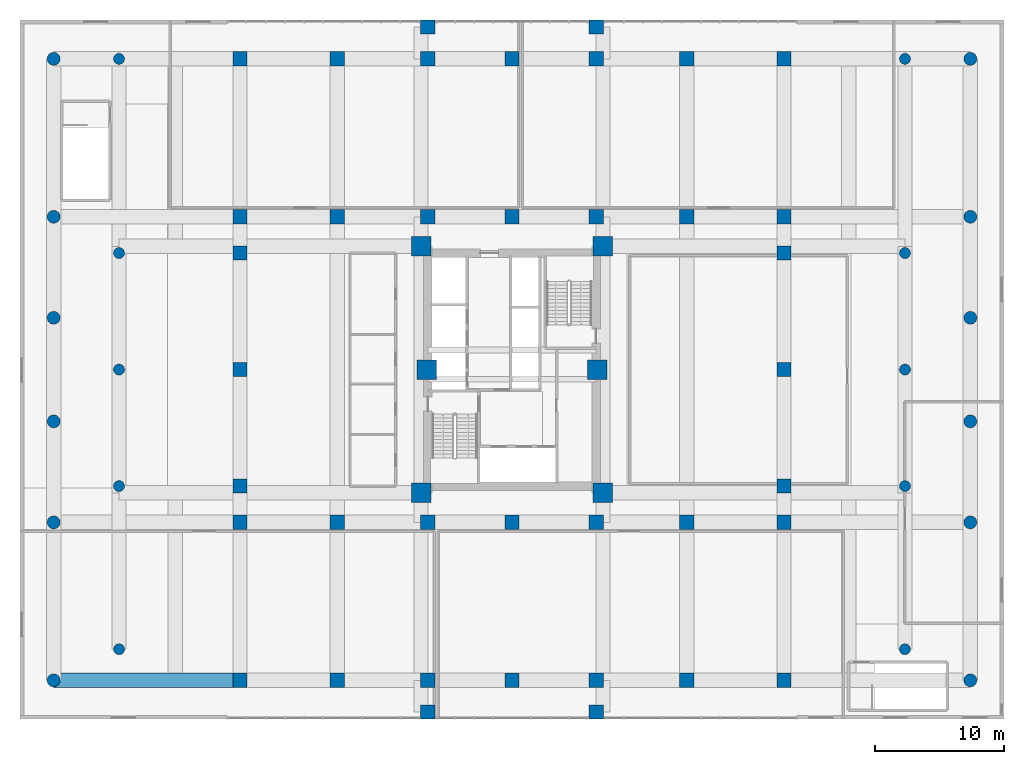
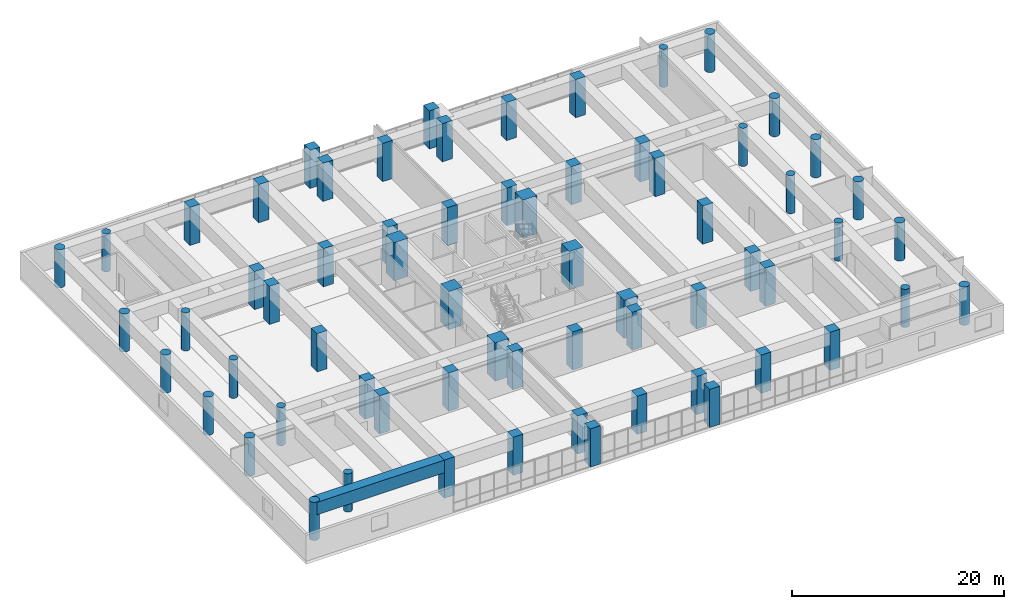
# One storey, part 1 of 28: 66 columns, 1 beam.
"""IFC4 building model written with IfcOpenShell, lengths in metres."""

from ifc_helpers import new_model, si_unit, direction, frame, origin, origin_2d, place, context, subcontext, project, spatial, rectangle, circle, extrude, source, transform, mapped, material, material_profile, profile_set, type_object, element, save


model = new_model("IFC4")

# Units and contexts
model_context = context("Model", 3, precision=1e-05, world=origin(), true_north=direction((0.0, 1.0)))
body_context = subcontext(model_context, "Body", "Model", "MODEL_VIEW")
ifc_project = project(units=[si_unit("LENGTHUNIT", "METRE"), si_unit("AREAUNIT", "SQUARE_METRE"), si_unit("VOLUMEUNIT", "CUBIC_METRE"), si_unit("PLANEANGLEUNIT", "RADIAN"), si_unit("MASSUNIT", "GRAM", prefix="KILO")], contexts=[model_context])

# Site, building, storey
site_placement = place(None, origin())
site = spatial("IfcSite", under=ifc_project, at=site_placement, CompositionType="ELEMENT")
building_placement = place(site_placement, origin())
building = spatial("IfcBuilding", under=site, at=building_placement, Name="Saelheon Loggia Tower", CompositionType="ELEMENT")
storey_placement = place(building_placement, frame((0.0, 0.0, 15.0)))
storey = spatial("IfcBuildingStorey", under=building, at=storey_placement, Name="L04", CompositionType="ELEMENT", Elevation=15.0)

# Columns
ifc_material_1 = material(Name="Concrete C60/75", Category="concrete")
ifc_material_profile_1 = material_profile(ifc_material_1, rectangle(XDim=1.5, YDim=1.5, at=origin_2d()), Name="RC-1500x1500")
ifc_profile_set_1 = profile_set([ifc_material_profile_1], Name="Concrete C60/75")
column_type_1 = type_object("IfcColumnType", Name="Col_Core_RC1500", PredefinedType="COLUMN", material=ifc_profile_set_1)
shared_shape_1 = source(origin(), body_context, "Body", "SweptSolid", [
    extrude(rectangle(XDim=1.5, YDim=1.5, at=origin_2d()), origin(), (0.0, 0.0, 1.0), 4.39990234375),
])
for number, where, z_axis, x_axis, name in (
    (1, (30.97998046875, 17.47998046875, 0.0), (0.0, 0.0, 1.0), (1.0, 0.0, 0.0), "L04 Core Column CR-SW"),
    (2, (45.02001953125, 17.47998046875, 0.0), (0.0, 0.0, 1.0), (1.0, 0.0, 0.0), "L04 Core Column CR-SE"),
    (3, (30.97998046875, 36.52001953125, 0.0), (0.0, 0.0, 1.0), (1.0, 0.0, 0.0), "L04 Core Column CR-NW"),
    (4, (45.02001953125, 36.52001953125, 0.0), (0.0, 0.0, 1.0), (1.0, 0.0, 0.0), "L04 Core Column CR-NE"),
    (5, (31.419921875, 27.0, 0.0), (0.0, 0.0, 1.0), (1.0, 0.0, 0.0), "L04 Core Column CR-MW"),
    (6, (44.580078125, 27.0, 0.0), (0.0, 0.0, 1.0), (1.0, 0.0, 0.0), "L04 Core Column CR-ME"),
):
    element("IfcColumn", number, at=place(storey_placement, frame(where, z_axis=z_axis, x_axis=x_axis)), inside=storey, type_object=column_type_1, Name=name, PredefinedType="COLUMN", context=body_context, shape_type="MappedRepresentation", body=[
        mapped(shared_shape_1, transform((0.0, 0.0, 0.0), scale=1.0)),
    ])
ifc_material_2 = material(Name="Concrete C50/60", Category="concrete")
ifc_material_profile_2 = material_profile(ifc_material_2, circle(Radius=0.5, at=origin_2d()), Name="CIRC-1000")
ifc_profile_set_2 = profile_set([ifc_material_profile_2], Name="Concrete C50/60")
column_type_2 = type_object("IfcColumnType", Name="Col_Podium_CIRC1000", PredefinedType="COLUMN", material=ifc_profile_set_2)
shared_shape_2 = source(origin(), body_context, "Body", "SweptSolid", [
    extrude(circle(Radius=0.5, at=origin_2d()), origin(), (0.0, 0.0, 1.0), 4.39990234375),
])
for number, where, z_axis, x_axis, name in (
    (7, (2.60009765625, 3.0, 0.0), (0.0, 0.0, 1.0), (1.0, 0.0, 0.0), "L04 Podium Column PW1"),
    (8, (73.39990234375, 3.0, 0.0), (0.0, 0.0, 1.0), (1.0, 0.0, 0.0), "L04 Podium Column PE1"),
    (9, (2.60009765625, 15.199951171875, 0.0), (0.0, 0.0, 1.0), (1.0, 0.0, 0.0), "L04 Podium Column PW2"),
    (10, (73.39990234375, 15.199951171875, 0.0), (0.0, 0.0, 1.0), (1.0, 0.0, 0.0), "L04 Podium Column PE2"),
    (11, (2.60009765625, 23.0, 0.0), (0.0, 0.0, 1.0), (1.0, 0.0, 0.0), "L04 Podium Column PW3"),
    (12, (73.39990234375, 23.0, 0.0), (0.0, 0.0, 1.0), (1.0, 0.0, 0.0), "L04 Podium Column PE3"),
    (13, (2.60009765625, 31.0, 0.0), (0.0, 0.0, 1.0), (1.0, 0.0, 0.0), "L04 Podium Column PW4"),
    (14, (73.39990234375, 31.0, 0.0), (0.0, 0.0, 1.0), (1.0, 0.0, 0.0), "L04 Podium Column PE4"),
    (15, (2.60009765625, 38.800048828125, 0.0), (0.0, 0.0, 1.0), (1.0, 0.0, 0.0), "L04 Podium Column PW5"),
    (16, (73.39990234375, 38.800048828125, 0.0), (0.0, 0.0, 1.0), (1.0, 0.0, 0.0), "L04 Podium Column PE5"),
    (17, (2.60009765625, 51.0, 0.0), (0.0, 0.0, 1.0), (1.0, 0.0, 0.0), "L04 Podium Column PW6"),
    (18, (73.39990234375, 51.0, 0.0), (0.0, 0.0, 1.0), (1.0, 0.0, 0.0), "L04 Podium Column PE6"),
):
    element("IfcColumn", number, at=place(storey_placement, frame(where, z_axis=z_axis, x_axis=x_axis)), inside=storey, type_object=column_type_2, Name=name, PredefinedType="COLUMN", context=body_context, shape_type="MappedRepresentation", body=[
        mapped(shared_shape_2, transform((0.0, 0.0, 0.0), scale=1.0)),
    ])
ifc_material_3 = material(Name="Concrete C45/55", Category="concrete")
ifc_material_profile_3 = material_profile(ifc_material_3, circle(Radius=0.425048828125, at=origin_2d()), Name="CIRC-850")
ifc_profile_set_3 = profile_set([ifc_material_profile_3], Name="Concrete C45/55")
column_type_3 = type_object("IfcColumnType", Name="Col_Podium_CIRC850", PredefinedType="COLUMN", material=ifc_profile_set_3)
shared_shape_3 = source(origin(), body_context, "Body", "SweptSolid", [
    extrude(circle(Radius=0.425048828125, at=origin_2d()), origin(), (0.0, 0.0, 1.0), 4.39990234375),
])
for number, where, z_axis, x_axis, name in (
    (19, (7.64990234375, 5.39990234375, 0.0), (0.0, 0.0, 1.0), (1.0, 0.0, 0.0), "L04 Podium Column PMW1"),
    (20, (68.35009765625, 5.39990234375, 0.0), (0.0, 0.0, 1.0), (1.0, 0.0, 0.0), "L04 Podium Column PME1"),
    (21, (7.64990234375, 18.0, 0.0), (0.0, 0.0, 1.0), (1.0, 0.0, 0.0), "L04 Podium Column PMW2"),
    (22, (68.35009765625, 18.0, 0.0), (0.0, 0.0, 1.0), (1.0, 0.0, 0.0), "L04 Podium Column PME2"),
    (23, (7.64990234375, 27.0, 0.0), (0.0, 0.0, 1.0), (1.0, 0.0, 0.0), "L04 Podium Column PMW3"),
    (24, (68.35009765625, 27.0, 0.0), (0.0, 0.0, 1.0), (1.0, 0.0, 0.0), "L04 Podium Column PME3"),
    (25, (7.64990234375, 36.0, 0.0), (0.0, 0.0, 1.0), (1.0, 0.0, 0.0), "L04 Podium Column PMW4"),
    (26, (68.35009765625, 36.0, 0.0), (0.0, 0.0, 1.0), (1.0, 0.0, 0.0), "L04 Podium Column PME4"),
    (27, (7.64990234375, 51.0, 0.0), (0.0, 0.0, 1.0), (1.0, 0.0, 0.0), "L04 Podium Column PMW5"),
    (28, (68.35009765625, 51.0, 0.0), (0.0, 0.0, 1.0), (1.0, 0.0, 0.0), "L04 Podium Column PME5"),
):
    element("IfcColumn", number, at=place(storey_placement, frame(where, z_axis=z_axis, x_axis=x_axis)), inside=storey, type_object=column_type_3, Name=name, PredefinedType="COLUMN", context=body_context, shape_type="MappedRepresentation", body=[
        mapped(shared_shape_3, transform((0.0, 0.0, 0.0), scale=1.0)),
    ])
ifc_material_profile_4 = material_profile(ifc_material_2, rectangle(XDim=1.10009765625, YDim=1.10009765625, at=origin_2d()), Name="RC-1100x1100")
ifc_profile_set_4 = profile_set([ifc_material_profile_4], Name="Concrete C50/60")
column_type_4 = type_object("IfcColumnType", Name="Col_Perim_RC1100", PredefinedType="COLUMN", material=ifc_profile_set_4)
shared_shape_4 = source(origin(), body_context, "Body", "SweptSolid", [
    extrude(rectangle(XDim=1.10009765625, YDim=1.10009765625, at=origin_2d()), origin(), (0.0, 0.0, 1.0), 4.39990234375),
])
for number, where, z_axis, x_axis, name in (
    (29, (17.0, 3.0, 0.0), (0.0, 0.0, 1.0), (1.0, 0.0, 0.0), "L04 Podium Column PIW1"),
    (30, (59.0, 3.0, 0.0), (0.0, 0.0, 1.0), (1.0, 0.0, 0.0), "L04 Podium Column PIE1"),
    (31, (17.0, 15.199951171875, 0.0), (0.0, 0.0, 1.0), (1.0, 0.0, 0.0), "L04 Podium Column PIW2"),
    (32, (59.0, 15.199951171875, 0.0), (0.0, 0.0, 1.0), (1.0, 0.0, 0.0), "L04 Podium Column PIE2"),
    (33, (17.0, 18.0, 0.0), (0.0, 0.0, 1.0), (1.0, 0.0, 0.0), "L04 Podium Column PIW3"),
    (34, (59.0, 18.0, 0.0), (0.0, 0.0, 1.0), (1.0, 0.0, 0.0), "L04 Podium Column PIE3"),
    (35, (17.0, 27.0, 0.0), (0.0, 0.0, 1.0), (1.0, 0.0, 0.0), "L04 Podium Column PIW4"),
    (36, (59.0, 27.0, 0.0), (0.0, 0.0, 1.0), (1.0, 0.0, 0.0), "L04 Podium Column PIE4"),
    (37, (17.0, 36.0, 0.0), (0.0, 0.0, 1.0), (1.0, 0.0, 0.0), "L04 Podium Column PIW5"),
    (38, (59.0, 36.0, 0.0), (0.0, 0.0, 1.0), (1.0, 0.0, 0.0), "L04 Podium Column PIE5"),
    (39, (17.0, 38.800048828125, 0.0), (0.0, 0.0, 1.0), (1.0, 0.0, 0.0), "L04 Podium Column PIW6"),
    (40, (59.0, 38.800048828125, 0.0), (0.0, 0.0, 1.0), (1.0, 0.0, 0.0), "L04 Podium Column PIE6"),
    (41, (17.0, 51.0, 0.0), (0.0, 0.0, 1.0), (1.0, 0.0, 0.0), "L04 Podium Column PIW7"),
    (42, (59.0, 51.0, 0.0), (0.0, 0.0, 1.0), (1.0, 0.0, 0.0), "L04 Podium Column PIE7"),
    (43, (24.5, 3.0, 0.0), (0.0, 0.0, 1.0), (1.0, 0.0, 0.0), "L04 Podium Column C24Y030"),
    (44, (24.5, 15.199951171875, 0.0), (0.0, 0.0, 1.0), (1.0, 0.0, 0.0), "L04 Podium Column C24Y152"),
    (45, (24.5, 38.800048828125, 0.0), (0.0, 0.0, 1.0), (1.0, 0.0, 0.0), "L04 Podium Column C24Y388"),
    (46, (24.5, 51.0, 0.0), (0.0, 0.0, 1.0), (1.0, 0.0, 0.0), "L04 Podium Column C24Y510"),
):
    element("IfcColumn", number, at=place(storey_placement, frame(where, z_axis=z_axis, x_axis=x_axis)), inside=storey, type_object=column_type_4, Name=name, PredefinedType="COLUMN", context=body_context, shape_type="MappedRepresentation", body=[
        mapped(shared_shape_4, transform((0.0, 0.0, 0.0), scale=1.0)),
    ])
ifc_material_profile_5 = material_profile(ifc_material_2, rectangle(XDim=1.10009765625, YDim=1.10009765625, at=origin_2d()), Name="RC-1100x1100")
ifc_profile_set_5 = profile_set([ifc_material_profile_5], Name="Concrete C50/60")
column_type_5 = type_object("IfcColumnType", Name="Col_PerimExt_RC1100", PredefinedType="COLUMN", material=ifc_profile_set_5)
column_1_placement = place(storey_placement, frame((31.5, 0.550048828125, 0.0), z_axis=(0.0, 0.0, 1.0), x_axis=(1.0, 0.0, 0.0)))
element("IfcColumn", 47, at=column_1_placement, inside=storey, type_object=column_type_5, Name="L04 Podium Column C31Y006", PredefinedType="COLUMN", context=body_context, shape_type="MappedRepresentation", body=[
    mapped(shared_shape_4, transform((0.0, 0.0, 0.0), scale=1.0)),
])
for number, where, z_axis, x_axis, name in (
    (48, (31.5, 3.0, 0.0), (0.0, 0.0, 1.0), (1.0, 0.0, 0.0), "L04 Podium Column C31Y030"),
    (49, (31.5, 15.199951171875, 0.0), (0.0, 0.0, 1.0), (1.0, 0.0, 0.0), "L04 Podium Column C31Y152"),
    (50, (31.5, 38.800048828125, 0.0), (0.0, 0.0, 1.0), (1.0, 0.0, 0.0), "L04 Podium Column C31Y388"),
    (51, (31.5, 51.0, 0.0), (0.0, 0.0, 1.0), (1.0, 0.0, 0.0), "L04 Podium Column C31Y510"),
):
    element("IfcColumn", number, at=place(storey_placement, frame(where, z_axis=z_axis, x_axis=x_axis)), inside=storey, type_object=column_type_4, Name=name, PredefinedType="COLUMN", context=body_context, shape_type="MappedRepresentation", body=[
        mapped(shared_shape_4, transform((0.0, 0.0, 0.0), scale=1.0)),
    ])
column_2_placement = place(storey_placement, frame((31.5, 53.449951171875, 0.0), z_axis=(0.0, 0.0, 1.0), x_axis=(1.0, 0.0, 0.0)))
element("IfcColumn", 52, at=column_2_placement, inside=storey, type_object=column_type_5, Name="L04 Podium Column C31Y534", PredefinedType="COLUMN", context=body_context, shape_type="MappedRepresentation", body=[
    mapped(shared_shape_4, transform((0.0, 0.0, 0.0), scale=1.0)),
])
for number, where, z_axis, x_axis, name in (
    (53, (38.0, 3.0, 0.0), (0.0, 0.0, 1.0), (1.0, 0.0, 0.0), "L04 Podium Column C38Y030"),
    (54, (38.0, 15.199951171875, 0.0), (0.0, 0.0, 1.0), (1.0, 0.0, 0.0), "L04 Podium Column C38Y152"),
    (55, (38.0, 38.800048828125, 0.0), (0.0, 0.0, 1.0), (1.0, 0.0, 0.0), "L04 Podium Column C38Y388"),
    (56, (38.0, 51.0, 0.0), (0.0, 0.0, 1.0), (1.0, 0.0, 0.0), "L04 Podium Column C38Y510"),
):
    element("IfcColumn", number, at=place(storey_placement, frame(where, z_axis=z_axis, x_axis=x_axis)), inside=storey, type_object=column_type_4, Name=name, PredefinedType="COLUMN", context=body_context, shape_type="MappedRepresentation", body=[
        mapped(shared_shape_4, transform((0.0, 0.0, 0.0), scale=1.0)),
    ])
column_3_placement = place(storey_placement, frame((44.5, 0.550048828125, 0.0), z_axis=(0.0, 0.0, 1.0), x_axis=(1.0, 0.0, 0.0)))
element("IfcColumn", 57, at=column_3_placement, inside=storey, type_object=column_type_5, Name="L04 Podium Column C44Y006", PredefinedType="COLUMN", context=body_context, shape_type="MappedRepresentation", body=[
    mapped(shared_shape_4, transform((0.0, 0.0, 0.0), scale=1.0)),
])
for number, where, z_axis, x_axis, name in (
    (58, (44.5, 3.0, 0.0), (0.0, 0.0, 1.0), (1.0, 0.0, 0.0), "L04 Podium Column C44Y030"),
    (59, (44.5, 15.199951171875, 0.0), (0.0, 0.0, 1.0), (1.0, 0.0, 0.0), "L04 Podium Column C44Y152"),
    (60, (44.5, 38.800048828125, 0.0), (0.0, 0.0, 1.0), (1.0, 0.0, 0.0), "L04 Podium Column C44Y388"),
    (61, (44.5, 51.0, 0.0), (0.0, 0.0, 1.0), (1.0, 0.0, 0.0), "L04 Podium Column C44Y510"),
):
    element("IfcColumn", number, at=place(storey_placement, frame(where, z_axis=z_axis, x_axis=x_axis)), inside=storey, type_object=column_type_4, Name=name, PredefinedType="COLUMN", context=body_context, shape_type="MappedRepresentation", body=[
        mapped(shared_shape_4, transform((0.0, 0.0, 0.0), scale=1.0)),
    ])
column_4_placement = place(storey_placement, frame((44.5, 53.449951171875, 0.0), z_axis=(0.0, 0.0, 1.0), x_axis=(1.0, 0.0, 0.0)))
element("IfcColumn", 62, at=column_4_placement, inside=storey, type_object=column_type_5, Name="L04 Podium Column C44Y534", PredefinedType="COLUMN", context=body_context, shape_type="MappedRepresentation", body=[
    mapped(shared_shape_4, transform((0.0, 0.0, 0.0), scale=1.0)),
])
for number, where, z_axis, x_axis, name in (
    (63, (51.5, 3.0, 0.0), (0.0, 0.0, 1.0), (1.0, 0.0, 0.0), "L04 Podium Column C51Y030"),
    (64, (51.5, 15.199951171875, 0.0), (0.0, 0.0, 1.0), (1.0, 0.0, 0.0), "L04 Podium Column C51Y152"),
    (65, (51.5, 38.800048828125, 0.0), (0.0, 0.0, 1.0), (1.0, 0.0, 0.0), "L04 Podium Column C51Y388"),
    (66, (51.5, 51.0, 0.0), (0.0, 0.0, 1.0), (1.0, 0.0, 0.0), "L04 Podium Column C51Y510"),
):
    element("IfcColumn", number, at=place(storey_placement, frame(where, z_axis=z_axis, x_axis=x_axis)), inside=storey, type_object=column_type_4, Name=name, PredefinedType="COLUMN", context=body_context, shape_type="MappedRepresentation", body=[
        mapped(shared_shape_4, transform((0.0, 0.0, 0.0), scale=1.0)),
    ])

# Beam
ifc_material_profile_6 = material_profile(ifc_material_2, rectangle(XDim=1.10009765625, YDim=1.449951171875, at=origin_2d()), Name="RC-1100x1450")
ifc_profile_set_6 = profile_set([ifc_material_profile_6], Name="Concrete C50/60")
beam_type = type_object("IfcBeamType", Name="Beam_Transfer_RC1100x1450", PredefinedType="BEAM", material=ifc_profile_set_6)
shared_shape_5 = source(origin(), body_context, "Body", "SweptSolid", [
    extrude(rectangle(XDim=1.10009765625, YDim=1.449951171875, at=origin_2d()), origin(), (0.0, 0.0, 1.0), 14.39990234375),
])
beam_placement = place(storey_placement, frame((2.60009765625, 3.0, 3.675048828125), z_axis=(1.0, 0.0, 0.0), x_axis=(0.0, 1.0, 0.0)))
element("IfcBeam", 67, at=beam_placement, inside=storey, type_object=beam_type, Name="BM-L04-EW-3-1", PredefinedType="BEAM", context=body_context, shape_type="MappedRepresentation", body=[
    mapped(shared_shape_5, transform((0.0, 0.0, 0.0), scale=1.0)),
])

save(model, "model.ifc")
